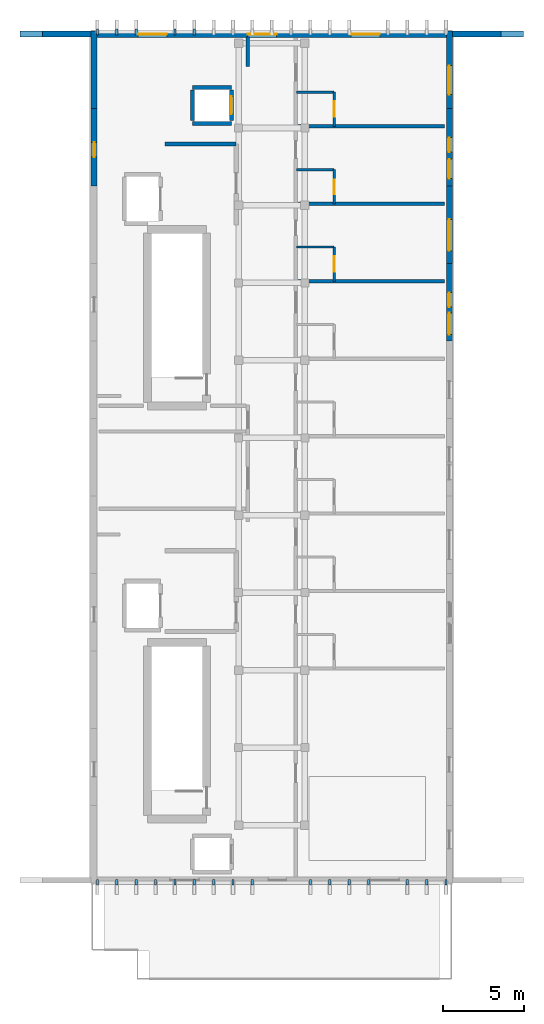
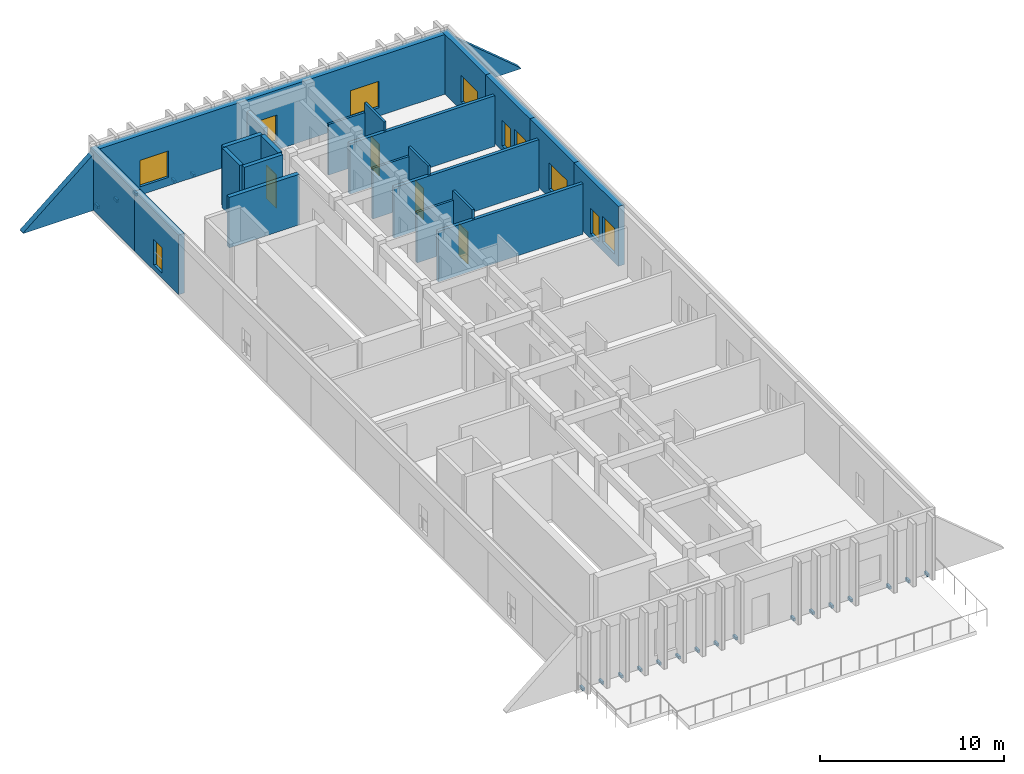
# One storey, part 4 of 7: 24 walls, 21 discrete accessories, 10 windows, 4 doors, 14 openings.
"""IFC4 building model written with IfcOpenShell, lengths in metres."""

import ifcopenshell
import ifcopenshell.guid

model = None  # the IFC model being written
_history = None  # IfcOwnerHistory: only IFC2X3 demands one
_inside = {}  # id of a spatial element -> (the spatial element, [elements in it])
_under = {}  # id of a project, library or spatial element -> (it, [spatial elements below it])
_declared = {}  # id of a project -> (the project, [libraries it declares])
_typed = {}  # id of a type object -> (the type object, [elements of that type])
_made_of = {}  # id of a material, layer set ... -> (it, [elements and type objects made of it])


def new_model(schema):
    """Start an empty IFC model of exactly this schema.

    Asked for "IFC4X3", IfcOpenShell would pick the latest addendum, in which some entities
    have other attributes; the version numbers below select the first issue.
    IFC2X3 requires an IfcOwnerHistory on every rooted entity: one is made here for all.
    """
    global model, _history
    if schema == "IFC4X3":
        model = ifcopenshell.file(schema_version=(4, 3, 0, 0))
    else:
        model = ifcopenshell.file(schema=schema)
    _inside.clear()
    _under.clear()
    _declared.clear()
    _typed.clear()
    _made_of.clear()
    _history = None
    if model.schema == "IFC2X3":
        org = make("IfcOrganization", Name="unknown")
        user = make(
            "IfcPersonAndOrganization",
            ThePerson=make("IfcPerson", FamilyName="unknown"),
            TheOrganization=org,
        )
        app = make(
            "IfcApplication",
            ApplicationDeveloper=org,
            Version="unknown",
            ApplicationFullName="unknown",
            ApplicationIdentifier="unknown",
        )
        _history = make(
            "IfcOwnerHistory",
            OwningUser=user,
            OwningApplication=app,
            ChangeAction="ADDED",
            CreationDate=0,
        )
    return model


def make(cls, **values):
    """One entity of the class cls with the attributes given. An attribute that is None is left unset."""
    return model.create_entity(
        cls, **{name: value for name, value in values.items() if value is not None}
    )


def rooted(cls, **values):
    """An entity with a GlobalId (a new one), such as an element, a storey or a relation."""
    return make(cls, GlobalId=ifcopenshell.guid.new(), OwnerHistory=_history, **values)


def si_unit(unit_type, name, prefix=None):
    """IfcSIUnit, for example si_unit("LENGTHUNIT", "METRE", prefix="MILLI")."""
    return make("IfcSIUnit", UnitType=unit_type, Prefix=prefix, Name=name)


def assignment(units):
    """IfcUnitAssignment: the units of a project."""
    return None if units is None else make("IfcUnitAssignment", Units=units)


def point(xyz):
    """IfcCartesianPoint."""
    return None if xyz is None else make("IfcCartesianPoint", Coordinates=xyz)


def direction(xyz):
    """IfcDirection."""
    return None if xyz is None else make("IfcDirection", DirectionRatios=xyz)


def frame(location, z_axis=None, x_axis=None):
    """IfcAxis2Placement3D, a coordinate frame: its origin and axes. An axis left out is left unset."""
    return make(
        "IfcAxis2Placement3D",
        Location=point(location),
        Axis=direction(z_axis),
        RefDirection=direction(x_axis),
    )


def frame_2d(location, x_axis=None):
    """IfcAxis2Placement2D, a coordinate frame in the plane: its origin and x axis."""
    return make(
        "IfcAxis2Placement2D", Location=point(location), RefDirection=direction(x_axis)
    )


def origin():
    """The frame at (0, 0, 0) with its axes left unset."""
    return frame((0.0, 0.0, 0.0))


def origin_2d():
    """The frame at (0, 0) in the plane with its x axis left unset."""
    return frame_2d((0.0, 0.0))


def place(relative_to, where):
    """IfcLocalPlacement: puts the frame where relative to a parent placement (None: the world)."""
    return make(
        "IfcLocalPlacement", PlacementRelTo=relative_to, RelativePlacement=where
    )


def context(
    kind, dimensions, precision=None, world=None, true_north=None, identifier=None
):
    """IfcGeometricRepresentationContext, for example the 3D "Model" context."""
    return make(
        "IfcGeometricRepresentationContext",
        ContextIdentifier=identifier,
        ContextType=kind,
        CoordinateSpaceDimension=dimensions,
        Precision=precision,
        WorldCoordinateSystem=world,
        TrueNorth=true_north,
    )


def subcontext(parent, identifier, kind, view, scale=None):
    """IfcGeometricRepresentationSubContext, for example "Body" below "Model"."""
    return make(
        "IfcGeometricRepresentationSubContext",
        ContextIdentifier=identifier,
        ContextType=kind,
        ParentContext=parent,
        TargetScale=scale,
        TargetView=view,
    )


def project(units=None, contexts=None):
    """IfcProject with its units and contexts."""
    return rooted(
        "IfcProject",
        Name="project",
        RepresentationContexts=contexts,
        UnitsInContext=assignment(units),
    )


def spatial(cls, under=None, at=None, **own):
    """A site, building, storey or space (cls), placed at a placement, below another one or the project."""
    s = rooted(cls, ObjectPlacement=at, **own)
    if under is not None:
        _under.setdefault(under.id(), (under, []))[1].append(s)
    return s


def polyline(points):
    """IfcPolyline through the points."""
    return make("IfcPolyline", Points=[point(p) for p in points])


def profile(cls, at=None, kind="AREA", **sizes):
    """A parametric profile (cls). Its sizes go by their IFC names, for example OverallWidth=200.0."""
    return make(cls, ProfileType=kind, Position=at, **sizes)


def rectangle(**sizes):
    """IfcRectangleProfileDef."""
    return profile("IfcRectangleProfileDef", **sizes)


def outline(outer, holes=None, kind="AREA"):
    """IfcArbitraryClosedProfileDef: a profile drawn as a closed curve; with holes, ...WithVoids."""
    if holes is None:
        return make("IfcArbitraryClosedProfileDef", ProfileType=kind, OuterCurve=outer)
    return make(
        "IfcArbitraryProfileDefWithVoids",
        ProfileType=kind,
        OuterCurve=outer,
        InnerCurves=holes,
    )


def extrude(swept, where, along, depth):
    """IfcExtrudedAreaSolid: the profile swept, set in the frame where, extruded along a direction by depth."""
    return make(
        "IfcExtrudedAreaSolid",
        SweptArea=swept,
        Position=where,
        ExtrudedDirection=direction(along),
        Depth=depth,
    )


def shape(context_of_items, identifier, shape_type, items):
    """IfcShapeRepresentation: the items that make up one representation, for example the "Body"."""
    return make(
        "IfcShapeRepresentation",
        ContextOfItems=context_of_items,
        RepresentationIdentifier=identifier,
        RepresentationType=shape_type,
        Items=items,
    )


def material(Name=None, Category=None):
    """IfcMaterial."""
    return make("IfcMaterial", Name=Name, Category=Category)


def layer(
    of_material, thickness, ventilated=None, Name=None, Category=None, Priority=None
):
    """IfcMaterialLayer: one layer of a wall or slab, of a material (None: an air gap)."""
    return make(
        "IfcMaterialLayer",
        Material=of_material,
        LayerThickness=thickness,
        IsVentilated=ventilated,
        Name=Name,
        Category=Category,
        Priority=Priority,
    )


def layer_set(layers, Name=None):
    """IfcMaterialLayerSet."""
    return make("IfcMaterialLayerSet", MaterialLayers=layers, LayerSetName=Name)


def made_of(thing, what):
    """Note that an element or type object is made of a material, layer set ...; save() writes the relation."""
    if what is not None:
        _made_of.setdefault(what.id(), (what, []))[1].append(thing)
    return thing


def type_object(cls, material=None, **own):
    """A type object (cls), such as IfcWallType, which elements share."""
    return made_of(rooted(cls, **own), material)


def element(
    cls,
    number,
    at=None,
    inside=None,
    cuts=None,
    type_object=None,
    material=None,
    context=None,
    identifier="Body",
    shape_type=None,
    held_by="IfcProductDefinitionShape",
    body=None,
    shapes=None,
    **own,
):
    """One element of the class cls, such as IfcWall. Its Tag is "e" and its number.

    at: its placement. inside: the storey or other place that contains it. cuts: it is an
    opening in that element (IfcRelVoidsElement). A single representation is given by context,
    identifier, shape_type and body (its items); several are given by shapes. held_by: the class
    of the entity that holds the representations. save() writes the other relations.
    """
    e = rooted(cls, Tag="e%d" % number, ObjectPlacement=at, **own)
    if body is not None:
        shapes = [shape(context, identifier, shape_type, body)]
    if shapes is not None:
        e.Representation = make(held_by, Representations=shapes)
    if inside is not None:
        _inside.setdefault(inside.id(), (inside, []))[1].append(e)
    if cuts is not None:
        rooted(
            "IfcRelVoidsElement", RelatingBuildingElement=cuts, RelatedOpeningElement=e
        )
    if type_object is not None:
        _typed.setdefault(type_object.id(), (type_object, []))[1].append(e)
    return made_of(e, material)


def fill(opening, filler):
    """IfcRelFillsElement: the door or window that sits in an opening."""
    return rooted(
        "IfcRelFillsElement",
        RelatingOpeningElement=opening,
        RelatedBuildingElement=filler,
    )


def aggregate(whole, parts):
    """IfcRelAggregates: a whole, such as a stair, and the parts it consists of."""
    return rooted("IfcRelAggregates", RelatingObject=whole, RelatedObjects=parts)


def save(model, path):
    """Write the relations noted so far, then the file.

    IfcRelAggregates (storeys below a building ...), IfcRelContainedInSpatialStructure (elements
    in a storey), IfcRelDefinesByType, IfcRelAssociatesMaterial and IfcRelDeclares: one each for
    every whole, place, type object, material and project.
    """
    for whole, parts in _under.values():
        aggregate(whole, parts)
    for where, things in _inside.values():
        rooted(
            "IfcRelContainedInSpatialStructure",
            RelatedElements=things,
            RelatingStructure=where,
        )
    for kind, things in _typed.values():
        rooted("IfcRelDefinesByType", RelatedObjects=things, RelatingType=kind)
    for what, things in _made_of.values():
        rooted("IfcRelAssociatesMaterial", RelatedObjects=things, RelatingMaterial=what)
    for by, libraries in _declared.values():
        rooted("IfcRelDeclares", RelatingContext=by, RelatedDefinitions=libraries)
    model.write(path)


model = new_model("IFC4")

# Units and contexts
model_context = context("Model", 3, precision=1e-05, world=origin(), true_north=direction((0.0, 1.0)))
body_context = subcontext(model_context, "Body", "Model", "MODEL_VIEW")
ifc_project = project(units=[si_unit("LENGTHUNIT", "METRE"), si_unit("AREAUNIT", "SQUARE_METRE"), si_unit("VOLUMEUNIT", "CUBIC_METRE"), si_unit("PLANEANGLEUNIT", "RADIAN"), si_unit("MASSUNIT", "GRAM", prefix="KILO")], contexts=[model_context])

# Site, building, storey
site_placement = place(None, origin())
site = spatial("IfcSite", under=ifc_project, at=site_placement, CompositionType="ELEMENT")
building_placement = place(site_placement, origin())
building = spatial("IfcBuilding", under=site, at=building_placement, Name="Nakhvara Creek Congress Hotel", CompositionType="ELEMENT")
storey_placement = place(building_placement, frame((0.0, 0.0, 50.39990234375)))
storey = spatial("IfcBuildingStorey", under=building, at=storey_placement, Name="L12", CompositionType="ELEMENT", Elevation=50.39990234375)

# Wall
ifc_material_1 = material(Name="Gypsum acoustic board on steel stud", Category="steel")
ifc_layer_1 = layer(ifc_material_1, 0.219970703125)
ifc_layer_set_1 = layer_set([ifc_layer_1], Name="Gypsum acoustic board on steel stud")
wall_type_1 = type_object("IfcWallType", Name="W-CORR-220", PredefinedType="PARTITIONING", material=ifc_layer_set_1)
wall_1_placement = place(storey_placement, frame((162.919921875, 123.800048828125, 0.0), z_axis=(0.0, 0.0, 1.0), x_axis=(0.0, 1.0, 0.0)))
element("IfcWall", 1, at=wall_1_placement, inside=storey, type_object=wall_type_1, Name="Interior Wall WP11-IW-L12-0794", PredefinedType="PARTITIONING", context=body_context, shape_type="SweptSolid", body=[
    extrude(rectangle(XDim=1.849853515625, YDim=0.219970703125, at=frame_2d((0.9248046875, 0.0))), origin(), (0.0, 0.0, 1.0), 3.2021484375),
])

# Wall, opening, door
ifc_material_2 = material(Name="Moisture-resistant gypsum board partition")
ifc_layer_2 = layer(ifc_material_2, 0.139892578125)
ifc_layer_set_2 = layer_set([ifc_layer_2], Name="Moisture-resistant gypsum board partition")
wall_type_2 = type_object("IfcWallType", Name="W-ENS-140", PredefinedType="PARTITIONING", material=ifc_layer_set_2)
wall_2_placement = place(storey_placement, frame((168.27001953125, 110.5, 0.0), z_axis=(0.0, 0.0, 1.0), x_axis=(0.0, 1.0, 0.0)))
wall_2 = element("IfcWall", 2, at=wall_2_placement, inside=storey, type_object=wall_type_2, Name="Interior Wall WP15-IW-L12-0818", PredefinedType="PARTITIONING", context=body_context, shape_type="SweptSolid", body=[
    extrude(rectangle(XDim=2.115966796875, YDim=0.139892578125, at=frame_2d((1.05810546875, 0.0))), origin(), (0.0, 0.0, 1.0), 3.960205078125),
])
opening_1_placement = place(wall_2_placement, frame((0.5830078125, 0.0, 0.0)))
opening_1 = element("IfcOpeningElement", 3, at=opening_1_placement, cuts=wall_2, Name="Opening ID02", PredefinedType="OPENING", context=body_context, shape_type="SweptSolid", body=[
    extrude(rectangle(XDim=0.9599609375, YDim=2.1201171875, at=frame_2d((0.47998046875, 1.06005859375))), frame((0.0, 0.08203125, 0.0), z_axis=(0.0, -1.0, 0.0), x_axis=(1.0, 0.0, 0.0)), (0.0, 0.0, 1.0), 0.163818359375),
])
ifc_material_3 = material(Name="Moisture-resistant walnut timber door", Category="wood")
door_type_1 = type_object("IfcDoorType", Name="DT-ENS-096", OperationType="NOTDEFINED", PredefinedType="DOOR", material=ifc_material_3)
door_1_placement = place(opening_1_placement, frame((0.9599609375, 0.0, 0.0), z_axis=(0.0, 0.0, 1.0), x_axis=(-1.0, 0.0, 0.0)))
door_1 = element("IfcDoor", 4, at=door_1_placement, inside=storey, type_object=door_type_1, Name="Interior Door ID02-0580", OperationType="SINGLE_SWING_LEFT", OverallHeight=2.1201171875, OverallWidth=0.9599609375, PredefinedType="DOOR", context=body_context, shape_type="SweptSolid", body=[
    extrude(rectangle(XDim=0.9599609375, YDim=2.1201171875, at=frame_2d((0.47998046875, 1.06005859375))), frame((0.0, 0.02490234375, 0.0), z_axis=(0.0, -1.0, 0.0), x_axis=(1.0, 0.0, 0.0)), (0.0, 0.0, 1.0), 0.050048828125),
])
fill(opening_1, door_1)

# Wall
wall_3_placement = place(storey_placement, frame((165.919921875, 112.615966796875, 0.0), z_axis=(0.0, 0.0, 1.0), x_axis=(1.0, 0.0, 0.0)))
element("IfcWall", 5, at=wall_3_placement, inside=storey, type_object=wall_type_2, Name="Interior Wall WP15-IW-L12-0819", PredefinedType="PARTITIONING", context=body_context, shape_type="SweptSolid", body=[
    extrude(rectangle(XDim=2.35009765625, YDim=0.139892578125, at=frame_2d((1.175048828125, 0.0))), origin(), (0.0, 0.0, 1.0), 3.35205078125),
])

# Wall, opening, door
wall_4_placement = place(storey_placement, frame((168.27001953125, 115.300048828125, 0.0), z_axis=(0.0, 0.0, 1.0), x_axis=(0.0, 1.0, 0.0)))
wall_4 = element("IfcWall", 6, at=wall_4_placement, inside=storey, type_object=wall_type_2, Name="Interior Wall WP15-IW-L12-0821", PredefinedType="PARTITIONING", context=body_context, shape_type="SweptSolid", body=[
    extrude(rectangle(XDim=2.115966796875, YDim=0.139892578125, at=frame_2d((1.05810546875, 0.0))), origin(), (0.0, 0.0, 1.0), 3.960205078125),
])
opening_2_placement = place(wall_4_placement, frame((0.5830078125, 0.0, 0.0)))
opening_2 = element("IfcOpeningElement", 7, at=opening_2_placement, cuts=wall_4, Name="Opening ID01", PredefinedType="OPENING", context=body_context, shape_type="SweptSolid", body=[
    extrude(rectangle(XDim=0.919921875, YDim=2.10009765625, at=frame_2d((0.4599609375, 1.050048828125))), frame((0.0, 0.08203125, 0.0), z_axis=(0.0, -1.0, 0.0), x_axis=(1.0, 0.0, 0.0)), (0.0, 0.0, 1.0), 0.163818359375),
])
door_type_2 = type_object("IfcDoorType", Name="DT-ENS-092", OperationType="NOTDEFINED", PredefinedType="DOOR", material=ifc_material_3)
door_2_placement = place(opening_2_placement, frame((0.919921875, 0.0, 0.0), z_axis=(0.0, 0.0, 1.0), x_axis=(-1.0, 0.0, 0.0)))
door_2 = element("IfcDoor", 8, at=door_2_placement, inside=storey, type_object=door_type_2, Name="Interior Door ID01-0582", OperationType="SINGLE_SWING_LEFT", OverallHeight=2.10009765625, OverallWidth=0.919921875, PredefinedType="DOOR", context=body_context, shape_type="SweptSolid", body=[
    extrude(rectangle(XDim=0.919921875, YDim=2.10009765625, at=frame_2d((0.4599609375, 1.050048828125))), frame((0.0, 0.02490234375, 0.0), z_axis=(0.0, -1.0, 0.0), x_axis=(1.0, 0.0, 0.0)), (0.0, 0.0, 1.0), 0.050048828125),
])
fill(opening_2, door_2)

# Wall
wall_5_placement = place(storey_placement, frame((165.919921875, 117.416015625, 0.0), z_axis=(0.0, 0.0, 1.0), x_axis=(1.0, 0.0, 0.0)))
element("IfcWall", 9, at=wall_5_placement, inside=storey, type_object=wall_type_2, Name="Interior Wall WP15-IW-L12-0822", PredefinedType="PARTITIONING", context=body_context, shape_type="SweptSolid", body=[
    extrude(rectangle(XDim=2.35009765625, YDim=0.139892578125, at=frame_2d((1.175048828125, 0.0))), origin(), (0.0, 0.0, 1.0), 3.35205078125),
])

# Wall, opening, door
wall_6_placement = place(storey_placement, frame((168.27001953125, 120.10009765625, 0.0), z_axis=(0.0, 0.0, 1.0), x_axis=(0.0, 1.0, 0.0)))
wall_6 = element("IfcWall", 10, at=wall_6_placement, inside=storey, type_object=wall_type_2, Name="Interior Wall WP15-IW-L12-0824", PredefinedType="PARTITIONING", context=body_context, shape_type="SweptSolid", body=[
    extrude(rectangle(XDim=2.115966796875, YDim=0.139892578125, at=frame_2d((1.05810546875, 0.0))), origin(), (0.0, 0.0, 1.0), 3.960205078125),
])
opening_3_placement = place(wall_6_placement, frame((0.5830078125, 0.0, 0.0)))
opening_3 = element("IfcOpeningElement", 11, at=opening_3_placement, cuts=wall_6, Name="Opening ID02", PredefinedType="OPENING", context=body_context, shape_type="SweptSolid", body=[
    extrude(rectangle(XDim=0.9599609375, YDim=2.1201171875, at=frame_2d((0.47998046875, 1.06005859375))), frame((0.0, 0.08203125, 0.0), z_axis=(0.0, -1.0, 0.0), x_axis=(1.0, 0.0, 0.0)), (0.0, 0.0, 1.0), 0.163818359375),
])
door_3_placement = place(opening_3_placement, frame((0.9599609375, 0.0, 0.0), z_axis=(0.0, 0.0, 1.0), x_axis=(-1.0, 0.0, 0.0)))
door_3 = element("IfcDoor", 12, at=door_3_placement, inside=storey, type_object=door_type_1, Name="Interior Door ID02-0584", OperationType="SINGLE_SWING_LEFT", OverallHeight=2.1201171875, OverallWidth=0.9599609375, PredefinedType="DOOR", context=body_context, shape_type="SweptSolid", body=[
    extrude(rectangle(XDim=0.9599609375, YDim=2.1201171875, at=frame_2d((0.47998046875, 1.06005859375))), frame((0.0, 0.02490234375, 0.0), z_axis=(0.0, -1.0, 0.0), x_axis=(1.0, 0.0, 0.0)), (0.0, 0.0, 1.0), 0.050048828125),
])
fill(opening_3, door_3)

# Wall
wall_7_placement = place(storey_placement, frame((165.919921875, 122.216064453125, 0.0), z_axis=(0.0, 0.0, 1.0), x_axis=(1.0, 0.0, 0.0)))
element("IfcWall", 13, at=wall_7_placement, inside=storey, type_object=wall_type_2, Name="Interior Wall WP15-IW-L12-0825", PredefinedType="PARTITIONING", context=body_context, shape_type="SweptSolid", body=[
    extrude(rectangle(XDim=2.35009765625, YDim=0.139892578125, at=frame_2d((1.175048828125, 0.0))), origin(), (0.0, 0.0, 1.0), 3.35205078125),
])

# Wall, openings, windows
ifc_material_4 = material(Name="Honed pale Omani limestone cladding", Category="masonry")
ifc_layer_3 = layer(ifc_material_4, 0.050048828125)
ifc_material_5 = material(Name="Mineral wool thermal insulation")
ifc_layer_4 = layer(ifc_material_5, 0.110107421875)
ifc_material_6 = material(Name="Precast concrete C40/50", Category="concrete")
ifc_layer_5 = layer(ifc_material_6, 0.219970703125)
ifc_layer_set_3 = layer_set([ifc_layer_3, ifc_layer_4, ifc_layer_5], Name="Precast concrete C40/50")
wall_type_3 = type_object("IfcWallType", Name="W-EXT-380", PredefinedType="SOLIDWALL", material=ifc_layer_set_3)
wall_8_placement = place(storey_placement, frame((153.300048828125, 125.81005859375, 0.0), z_axis=(0.0, 0.0, 1.0), x_axis=(1.0, 0.0, 0.0)))
wall_8 = element("IfcWall", 14, at=wall_8_placement, inside=storey, type_object=wall_type_3, Name="Exterior Wall WE03-EW-L12-0231", PredefinedType="SOLIDWALL", context=body_context, shape_type="SweptSolid", body=[
    extrude(rectangle(XDim=22.199951171875, YDim=0.3798828125, at=frame_2d((11.10009765625, 0.0))), origin(), (0.0, 0.0, 1.0), 3.960205078125),
])
opening_4_placement = place(wall_8_placement, frame((2.800048828125, 0.0, 0.550048828125)))
opening_4 = element("IfcOpeningElement", 15, at=opening_4_placement, cuts=wall_8, Name="Opening WN0253", PredefinedType="OPENING", context=body_context, shape_type="SweptSolid", body=[
    extrude(rectangle(XDim=1.800048828125, YDim=1.760009765625, at=frame_2d((0.89990234375, 0.8798828125))), frame((0.0, 0.201904296875, 0.0), z_axis=(0.0, -1.0, 0.0), x_axis=(1.0, 0.0, 0.0)), (0.0, 0.0, 1.0), 0.40380859375),
])
opening_5_placement = place(wall_8_placement, frame((9.60009765625, 0.0, 0.550048828125)))
opening_5 = element("IfcOpeningElement", 16, at=opening_5_placement, cuts=wall_8, Name="Opening WN0254", PredefinedType="OPENING", context=body_context, shape_type="SweptSolid", body=[
    extrude(rectangle(XDim=1.800048828125, YDim=1.760009765625, at=frame_2d((0.89990234375, 0.8798828125))), frame((0.0, 0.201904296875, 0.0), z_axis=(0.0, -1.0, 0.0), x_axis=(1.0, 0.0, 0.0)), (0.0, 0.0, 1.0), 0.40380859375),
])
opening_6_placement = place(wall_8_placement, frame((16.0, 0.0, 0.550048828125)))
opening_6 = element("IfcOpeningElement", 17, at=opening_6_placement, cuts=wall_8, Name="Opening WN0255", PredefinedType="OPENING", context=body_context, shape_type="SweptSolid", body=[
    extrude(rectangle(XDim=1.800048828125, YDim=1.760009765625, at=frame_2d((0.89990234375, 0.8798828125))), frame((0.0, 0.201904296875, 0.0), z_axis=(0.0, -1.0, 0.0), x_axis=(1.0, 0.0, 0.0)), (0.0, 0.0, 1.0), 0.40380859375),
])
ifc_material_7 = material(Name="Thermally broken bronze-anodised aluminium and double-silver low-E insulated glass", Category="aluminium")
window_type_1 = type_object("IfcWindowType", Name="WN-LAN-180X225", PartitioningType="SINGLE_PANEL", PredefinedType="WINDOW", material=ifc_material_7)
window_1_placement = place(opening_4_placement, origin())
window_1 = element("IfcWindow", 18, at=window_1_placement, inside=storey, type_object=window_type_1, Name="Facade Window WN0253", OverallHeight=1.760009765625, OverallWidth=1.800048828125, PartitioningType="SINGLE_PANEL", PredefinedType="WINDOW", context=body_context, shape_type="SweptSolid", body=[
    extrude(rectangle(XDim=1.800048828125, YDim=1.760009765625, at=frame_2d((0.89990234375, 0.8798828125))), frame((0.0, 0.030029296875, 0.0), z_axis=(0.0, -1.0, 0.0), x_axis=(1.0, 0.0, 0.0)), (0.0, 0.0, 1.0), 0.06005859375),
])
fill(opening_4, window_1)
window_2_placement = place(opening_5_placement, origin())
window_2 = element("IfcWindow", 19, at=window_2_placement, inside=storey, type_object=window_type_1, Name="Facade Window WN0254", OverallHeight=1.760009765625, OverallWidth=1.800048828125, PartitioningType="SINGLE_PANEL", PredefinedType="WINDOW", context=body_context, shape_type="SweptSolid", body=[
    extrude(rectangle(XDim=1.800048828125, YDim=1.760009765625, at=frame_2d((0.89990234375, 0.8798828125))), frame((0.0, 0.030029296875, 0.0), z_axis=(0.0, -1.0, 0.0), x_axis=(1.0, 0.0, 0.0)), (0.0, 0.0, 1.0), 0.06005859375),
])
fill(opening_5, window_2)
window_3_placement = place(opening_6_placement, origin())
window_3 = element("IfcWindow", 20, at=window_3_placement, inside=storey, type_object=window_type_1, Name="Facade Window WN0255", OverallHeight=1.760009765625, OverallWidth=1.800048828125, PartitioningType="SINGLE_PANEL", PredefinedType="WINDOW", context=body_context, shape_type="SweptSolid", body=[
    extrude(rectangle(XDim=1.800048828125, YDim=1.760009765625, at=frame_2d((0.89990234375, 0.8798828125))), frame((0.0, 0.030029296875, 0.0), z_axis=(0.0, -1.0, 0.0), x_axis=(1.0, 0.0, 0.0)), (0.0, 0.0, 1.0), 0.06005859375),
])
fill(opening_6, window_3)

wall_9_placement = place(storey_placement, frame((175.409912109375, 111.60009765625, 0.0), z_axis=(0.0, 0.0, 1.0), x_axis=(0.0, -1.0, 0.0)))
wall_9 = element("IfcWall", 21, at=wall_9_placement, inside=storey, type_object=wall_type_3, Name="Exterior Wall WE03-EW-L12-0247", PredefinedType="SOLIDWALL", context=body_context, shape_type="SweptSolid", body=[
    extrude(rectangle(XDim=4.800048828125, YDim=0.3798828125, at=frame_2d((2.39990234375, 0.0))), origin(), (0.0, 0.0, 1.0), 3.960205078125),
])
opening_7_placement = place(wall_9_placement, frame((1.800048828125, 0.0, 0.35009765625)))
opening_7 = element("IfcOpeningElement", 22, at=opening_7_placement, cuts=wall_9, Name="Opening WN0263", PredefinedType="OPENING", context=body_context, shape_type="SweptSolid", body=[
    extrude(rectangle(XDim=0.89990234375, YDim=1.679931640625, at=frame_2d((0.449951171875, 0.83984375))), frame((0.0, 0.201904296875, 0.0), z_axis=(0.0, -1.0, 0.0), x_axis=(1.0, 0.0, 0.0)), (0.0, 0.0, 1.0), 0.40380859375),
])
opening_8_placement = place(wall_9_placement, frame((3.06005859375, 0.0, 0.550048828125)))
opening_8 = element("IfcOpeningElement", 23, at=opening_8_placement, cuts=wall_9, Name="Opening WN0272", PredefinedType="OPENING", context=body_context, shape_type="SweptSolid", body=[
    extrude(rectangle(XDim=1.35009765625, YDim=1.72998046875, at=frame_2d((0.675048828125, 0.864990234375))), frame((0.0, 0.201904296875, 0.0), z_axis=(0.0, -1.0, 0.0), x_axis=(1.0, 0.0, 0.0)), (0.0, 0.0, 1.0), 0.40380859375),
])
window_type_2 = type_object("IfcWindowType", Name="WN-LAN-090X210", PartitioningType="SINGLE_PANEL", PredefinedType="WINDOW", material=ifc_material_7)
window_4_placement = place(opening_7_placement, origin())
window_4 = element("IfcWindow", 24, at=window_4_placement, inside=storey, type_object=window_type_2, Name="Facade Window WN0263", OverallHeight=1.679931640625, OverallWidth=0.89990234375, PartitioningType="SINGLE_PANEL", PredefinedType="WINDOW", context=body_context, shape_type="SweptSolid", body=[
    extrude(rectangle(XDim=0.89990234375, YDim=1.679931640625, at=frame_2d((0.449951171875, 0.83984375))), frame((0.0, 0.030029296875, 0.0), z_axis=(0.0, -1.0, 0.0), x_axis=(1.0, 0.0, 0.0)), (0.0, 0.0, 1.0), 0.06005859375),
])
fill(opening_7, window_4)
window_type_3 = type_object("IfcWindowType", Name="WN-LAN-135X220", PartitioningType="SINGLE_PANEL", PredefinedType="WINDOW", material=ifc_material_7)
window_5_placement = place(opening_8_placement, origin())
window_5 = element("IfcWindow", 25, at=window_5_placement, inside=storey, type_object=window_type_3, Name="Facade Window WN0272", OverallHeight=1.72998046875, OverallWidth=1.35009765625, PartitioningType="SINGLE_PANEL", PredefinedType="WINDOW", context=body_context, shape_type="SweptSolid", body=[
    extrude(rectangle(XDim=1.35009765625, YDim=1.72998046875, at=frame_2d((0.675048828125, 0.864990234375))), frame((0.0, 0.030029296875, 0.0), z_axis=(0.0, -1.0, 0.0), x_axis=(1.0, 0.0, 0.0)), (0.0, 0.0, 1.0), 0.06005859375),
])
fill(opening_8, window_5)

# Wall, opening, window
wall_10_placement = place(storey_placement, frame((175.409912109375, 116.39990234375, 0.0), z_axis=(0.0, 0.0, 1.0), x_axis=(0.0, -1.0, 0.0)))
wall_10 = element("IfcWall", 26, at=wall_10_placement, inside=storey, type_object=wall_type_3, Name="Exterior Wall WE03-EW-L12-0249", PredefinedType="SOLIDWALL", context=body_context, shape_type="SweptSolid", body=[
    extrude(rectangle(XDim=4.7998046875, YDim=0.3798828125, at=frame_2d((2.39990234375, 0.0))), origin(), (0.0, 0.0, 1.0), 3.960205078125),
])
opening_9_placement = place(wall_10_placement, frame((2.06005859375, 0.0, 0.550048828125)))
opening_9 = element("IfcOpeningElement", 27, at=opening_9_placement, cuts=wall_10, Name="Opening WN0273", PredefinedType="OPENING", context=body_context, shape_type="SweptSolid", body=[
    extrude(rectangle(XDim=1.949951171875, YDim=1.77001953125, at=frame_2d((0.97509765625, 0.885009765625))), frame((0.0, 0.201904296875, 0.0), z_axis=(0.0, -1.0, 0.0), x_axis=(1.0, 0.0, 0.0)), (0.0, 0.0, 1.0), 0.40380859375),
])
window_type_4 = type_object("IfcWindowType", Name="WN-LAN-195X230", PartitioningType="SINGLE_PANEL", PredefinedType="WINDOW", material=ifc_material_7)
window_6_placement = place(opening_9_placement, origin())
window_6 = element("IfcWindow", 28, at=window_6_placement, inside=storey, type_object=window_type_4, Name="Facade Window WN0273", OverallHeight=1.77001953125, OverallWidth=1.949951171875, PartitioningType="SINGLE_PANEL", PredefinedType="WINDOW", context=body_context, shape_type="SweptSolid", body=[
    extrude(rectangle(XDim=1.949951171875, YDim=1.77001953125, at=frame_2d((0.97509765625, 0.885009765625))), frame((0.0, 0.030029296875, 0.0), z_axis=(0.0, -1.0, 0.0), x_axis=(1.0, 0.0, 0.0)), (0.0, 0.0, 1.0), 0.06005859375),
])
fill(opening_9, window_6)

# Wall, openings, windows
wall_11_placement = place(storey_placement, frame((175.409912109375, 121.199951171875, 0.0), z_axis=(0.0, 0.0, 1.0), x_axis=(0.0, -1.0, 0.0)))
wall_11 = element("IfcWall", 29, at=wall_11_placement, inside=storey, type_object=wall_type_3, Name="Exterior Wall WE03-EW-L12-0251", PredefinedType="SOLIDWALL", context=body_context, shape_type="SweptSolid", body=[
    extrude(rectangle(XDim=4.800048828125, YDim=0.3798828125, at=frame_2d((2.39990234375, 0.0))), origin(), (0.0, 0.0, 1.0), 3.960205078125),
])
opening_10_placement = place(wall_11_placement, frame((1.800048828125, 0.0, 0.35009765625)))
opening_10 = element("IfcOpeningElement", 30, at=opening_10_placement, cuts=wall_11, Name="Opening WN0265", PredefinedType="OPENING", context=body_context, shape_type="SweptSolid", body=[
    extrude(rectangle(XDim=0.89990234375, YDim=1.679931640625, at=frame_2d((0.449951171875, 0.83984375))), frame((0.0, 0.201904296875, 0.0), z_axis=(0.0, -1.0, 0.0), x_axis=(1.0, 0.0, 0.0)), (0.0, 0.0, 1.0), 0.40380859375),
])
opening_11_placement = place(wall_11_placement, frame((3.135009765625, 0.0, 0.550048828125)))
opening_11 = element("IfcOpeningElement", 31, at=opening_11_placement, cuts=wall_11, Name="Opening WN0274", PredefinedType="OPENING", context=body_context, shape_type="SweptSolid", body=[
    extrude(rectangle(XDim=1.199951171875, YDim=1.719970703125, at=frame_2d((0.60009765625, 0.85986328125))), frame((0.0, 0.201904296875, 0.0), z_axis=(0.0, -1.0, 0.0), x_axis=(1.0, 0.0, 0.0)), (0.0, 0.0, 1.0), 0.40380859375),
])
window_7_placement = place(opening_10_placement, origin())
window_7 = element("IfcWindow", 32, at=window_7_placement, inside=storey, type_object=window_type_2, Name="Facade Window WN0265", OverallHeight=1.679931640625, OverallWidth=0.89990234375, PartitioningType="SINGLE_PANEL", PredefinedType="WINDOW", context=body_context, shape_type="SweptSolid", body=[
    extrude(rectangle(XDim=0.89990234375, YDim=1.679931640625, at=frame_2d((0.449951171875, 0.83984375))), frame((0.0, 0.030029296875, 0.0), z_axis=(0.0, -1.0, 0.0), x_axis=(1.0, 0.0, 0.0)), (0.0, 0.0, 1.0), 0.06005859375),
])
fill(opening_10, window_7)
window_type_5 = type_object("IfcWindowType", Name="WN-LAN-120X220", PartitioningType="SINGLE_PANEL", PredefinedType="WINDOW", material=ifc_material_7)
window_8_placement = place(opening_11_placement, origin())
window_8 = element("IfcWindow", 33, at=window_8_placement, inside=storey, type_object=window_type_5, Name="Facade Window WN0274", OverallHeight=1.719970703125, OverallWidth=1.199951171875, PartitioningType="SINGLE_PANEL", PredefinedType="WINDOW", context=body_context, shape_type="SweptSolid", body=[
    extrude(rectangle(XDim=1.199951171875, YDim=1.719970703125, at=frame_2d((0.60009765625, 0.85986328125))), frame((0.0, 0.030029296875, 0.0), z_axis=(0.0, -1.0, 0.0), x_axis=(1.0, 0.0, 0.0)), (0.0, 0.0, 1.0), 0.06005859375),
])
fill(opening_11, window_8)

# Wall, opening, window
wall_12_placement = place(storey_placement, frame((153.389892578125, 116.39990234375, 0.0), z_axis=(0.0, 0.0, 1.0), x_axis=(0.0, 1.0, 0.0)))
wall_12 = element("IfcWall", 34, at=wall_12_placement, inside=storey, type_object=wall_type_3, Name="Exterior Wall WE03-EW-L12-0252", PredefinedType="SOLIDWALL", context=body_context, shape_type="SweptSolid", body=[
    extrude(rectangle(XDim=4.800048828125, YDim=0.3798828125, at=frame_2d((2.39990234375, 0.0))), origin(), (0.0, 0.0, 1.0), 3.960205078125),
])
opening_12_placement = place(wall_12_placement, frame((1.800048828125, 0.0, 0.35009765625)))
opening_12 = element("IfcOpeningElement", 35, at=opening_12_placement, cuts=wall_12, Name="Opening WN0266", PredefinedType="OPENING", context=body_context, shape_type="SweptSolid", body=[
    extrude(rectangle(XDim=0.89990234375, YDim=1.679931640625, at=frame_2d((0.449951171875, 0.83984375))), frame((0.0, 0.201904296875, 0.0), z_axis=(0.0, -1.0, 0.0), x_axis=(1.0, 0.0, 0.0)), (0.0, 0.0, 1.0), 0.40380859375),
])
window_9_placement = place(opening_12_placement, origin())
window_9 = element("IfcWindow", 36, at=window_9_placement, inside=storey, type_object=window_type_2, Name="Facade Window WN0266", OverallHeight=1.679931640625, OverallWidth=0.89990234375, PartitioningType="SINGLE_PANEL", PredefinedType="WINDOW", context=body_context, shape_type="SweptSolid", body=[
    extrude(rectangle(XDim=0.89990234375, YDim=1.679931640625, at=frame_2d((0.449951171875, 0.83984375))), frame((0.0, 0.030029296875, 0.0), z_axis=(0.0, -1.0, 0.0), x_axis=(1.0, 0.0, 0.0)), (0.0, 0.0, 1.0), 0.06005859375),
])
fill(opening_12, window_9)

wall_13_placement = place(storey_placement, frame((175.409912109375, 126.0, 0.0), z_axis=(0.0, 0.0, 1.0), x_axis=(0.0, -1.0, 0.0)))
wall_13 = element("IfcWall", 37, at=wall_13_placement, inside=storey, type_object=wall_type_3, Name="Exterior Wall WE03-EW-L12-0253", PredefinedType="SOLIDWALL", context=body_context, shape_type="SweptSolid", body=[
    extrude(rectangle(XDim=4.800048828125, YDim=0.3798828125, at=frame_2d((2.39990234375, 0.0))), origin(), (0.0, 0.0, 1.0), 3.960205078125),
])
opening_13_placement = place(wall_13_placement, frame((2.135009765625, 0.0, 0.550048828125)))
opening_13 = element("IfcOpeningElement", 38, at=opening_13_placement, cuts=wall_13, Name="Opening WN0275", PredefinedType="OPENING", context=body_context, shape_type="SweptSolid", body=[
    extrude(rectangle(XDim=1.800048828125, YDim=1.760009765625, at=frame_2d((0.89990234375, 0.8798828125))), frame((0.0, 0.201904296875, 0.0), z_axis=(0.0, -1.0, 0.0), x_axis=(1.0, 0.0, 0.0)), (0.0, 0.0, 1.0), 0.40380859375),
])
window_10_placement = place(opening_13_placement, origin())
window_10 = element("IfcWindow", 39, at=window_10_placement, inside=storey, type_object=window_type_1, Name="Facade Window WN0275", OverallHeight=1.760009765625, OverallWidth=1.800048828125, PartitioningType="SINGLE_PANEL", PredefinedType="WINDOW", context=body_context, shape_type="SweptSolid", body=[
    extrude(rectangle(XDim=1.800048828125, YDim=1.760009765625, at=frame_2d((0.89990234375, 0.8798828125))), frame((0.0, 0.030029296875, 0.0), z_axis=(0.0, -1.0, 0.0), x_axis=(1.0, 0.0, 0.0)), (0.0, 0.0, 1.0), 0.06005859375),
])
fill(opening_13, window_10)

# Walls
wall_14_placement = place(storey_placement, frame((153.389892578125, 121.199951171875, 0.0), z_axis=(0.0, 0.0, 1.0), x_axis=(0.0, 1.0, 0.0)))
element("IfcWall", 40, at=wall_14_placement, inside=storey, type_object=wall_type_3, Name="Exterior Wall WE03-EW-L12-0254", PredefinedType="SOLIDWALL", context=body_context, shape_type="SweptSolid", body=[
    extrude(rectangle(XDim=4.800048828125, YDim=0.3798828125, at=frame_2d((2.39990234375, 0.0))), origin(), (0.0, 0.0, 1.0), 3.960205078125),
])
ifc_material_8 = material(Name="Concrete C40/50", Category="concrete")
ifc_layer_6 = layer(ifc_material_8, 0.260009765625)
ifc_layer_set_4 = layer_set([ifc_layer_6], Name="Concrete C40/50")
wall_type_4 = type_object("IfcWallType", Name="W-FFL-260", PredefinedType="SOLIDWALL", material=ifc_layer_set_4)
wall_15_placement = place(storey_placement, frame((157.800048828125, 119.0, 0.0), z_axis=(0.0, 0.0, 1.0), x_axis=(1.0, 0.0, 0.0)))
element("IfcWall", 41, at=wall_15_placement, inside=storey, type_object=wall_type_4, Name="Core Shear Wall WI03-CWALL-L12-0533", PredefinedType="SOLIDWALL", context=body_context, shape_type="SweptSolid", body=[
    extrude(rectangle(XDim=4.39990234375, YDim=0.260009765625, at=frame_2d((2.199951171875, 0.0))), origin(), (0.0, 0.0, 1.0), 3.35205078125),
])
ifc_layer_7 = layer(ifc_material_4, 0.050048828125)
ifc_layer_8 = layer(ifc_material_5, 0.110107421875)
ifc_layer_9 = layer(ifc_material_6, 0.199951171875)
ifc_layer_set_5 = layer_set([ifc_layer_7, ifc_layer_8, ifc_layer_9], Name="Precast concrete C40/50")
wall_type_5 = type_object("IfcWallType", Name="W-GABLE-360", PredefinedType="SOLIDWALL", material=ifc_layer_set_5)
wall_16_placement = place(storey_placement, frame((148.800048828125, 125.820068359375, 0.0), z_axis=(0.0, 0.0, 1.0), x_axis=(1.0, 0.0, 0.0)))
element("IfcWall", 42, at=wall_16_placement, inside=storey, type_object=wall_type_5, Name="Exterior Wall WE05-EW-L12-0257", PredefinedType="SOLIDWALL", context=body_context, shape_type="SweptSolid", body=[
    extrude(outline(polyline([(0.0, 0.0), (4.39990234375, 0.0), (4.39990234375, 3.72314453125), (0.0, 0.050048828125), (0.0, 0.0)])), frame((0.0, 0.18017578125, 0.0), z_axis=(0.0, -1.0, 0.0), x_axis=(1.0, 0.0, 0.0)), (0.0, 0.0, 1.0), 0.360107421875),
])
wall_17_placement = place(storey_placement, frame((175.60009765625, 125.820068359375, 0.0), z_axis=(0.0, 0.0, 1.0), x_axis=(1.0, 0.0, 0.0)))
element("IfcWall", 43, at=wall_17_placement, inside=storey, type_object=wall_type_5, Name="Exterior Wall WE05-EW-L12-0258", PredefinedType="SOLIDWALL", context=body_context, shape_type="SweptSolid", body=[
    extrude(outline(polyline([(0.0, 0.0), (4.39990234375, 0.0), (4.39990234375, 0.050048828125), (0.0, 3.72314453125), (0.0, 0.0)])), frame((0.0, 0.18017578125, 0.0), z_axis=(0.0, -1.0, 0.0), x_axis=(1.0, 0.0, 0.0)), (0.0, 0.0, 1.0), 0.360107421875),
])
ifc_layer_10 = layer(ifc_material_1, 0.199951171875)
ifc_layer_set_6 = layer_set([ifc_layer_10], Name="Gypsum acoustic board on steel stud")
wall_type_6 = type_object("IfcWallType", Name="W-PART-200", PredefinedType="PARTITIONING", material=ifc_layer_set_6)
for number, where, z_axis, x_axis, name in (
    (44, (166.02001953125, 110.5, 0.0), (0.0, 0.0, 1.0), (1.0, 0.0, 0.0), "Interior Wall WP12-IW-L12-0817"),
    (45, (166.02001953125, 115.300048828125, 0.0), (0.0, 0.0, 1.0), (1.0, 0.0, 0.0), "Interior Wall WP12-IW-L12-0820"),
    (46, (166.02001953125, 120.10009765625, 0.0), (0.0, 0.0, 1.0), (1.0, 0.0, 0.0), "Interior Wall WP12-IW-L12-0823"),
):
    element("IfcWall", number, at=place(storey_placement, frame(where, z_axis=z_axis, x_axis=x_axis)), inside=storey, type_object=wall_type_6, Name=name, PredefinedType="PARTITIONING", context=body_context, shape_type="SweptSolid", body=[
        extrude(rectangle(XDim=9.080078125, YDim=0.199951171875, at=frame_2d((4.5400390625, 0.0))), origin(), (0.0, 0.0, 1.0), 3.35205078125),
    ])
ifc_layer_11 = layer(ifc_material_8, 0.25)
ifc_layer_set_7 = layer_set([ifc_layer_11], Name="Concrete C40/50")
wall_type_7 = type_object("IfcWallType", Name="W-SHAFT-250", PredefinedType="SOLIDWALL", material=ifc_layer_set_7)
for number, where, z_axis, x_axis, name in (
    (47, (159.489990234375, 120.2900390625, 0.0), (0.0, 0.0, 1.0), (1.0, 0.0, 0.0), "Core Shear Wall WI02-CWALL-L12-0528"),
    (48, (159.489990234375, 122.510009765625, 0.0), (0.0, 0.0, 1.0), (1.0, 0.0, 0.0), "Core Shear Wall WI02-CWALL-L12-0529"),
):
    element("IfcWall", number, at=place(storey_placement, frame(where, z_axis=z_axis, x_axis=x_axis)), inside=storey, type_object=wall_type_7, Name=name, PredefinedType="SOLIDWALL", context=body_context, shape_type="SweptSolid", body=[
        extrude(rectangle(XDim=2.419921875, YDim=0.25, at=frame_2d((1.2099609375, 0.0))), origin(), (0.0, 0.0, 1.0), 3.960205078125),
    ])
wall_18_placement = place(storey_placement, frame((159.489990234375, 120.449951171875, 0.0), z_axis=(0.0, 0.0, 1.0), x_axis=(0.0, 1.0, 0.0)))
element("IfcWall", 49, at=wall_18_placement, inside=storey, type_object=wall_type_7, Name="Core Shear Wall WI02-CWALL-L12-0530", PredefinedType="SOLIDWALL", context=body_context, shape_type="SweptSolid", body=[
    extrude(rectangle(XDim=1.900146484375, YDim=0.25, at=frame_2d((0.9501953125, 0.0))), origin(), (0.0, 0.0, 1.0), 3.960205078125),
])

# Wall, opening, door
wall_19_placement = place(storey_placement, frame((161.909912109375, 120.449951171875, 0.0), z_axis=(0.0, 0.0, 1.0), x_axis=(0.0, 1.0, 0.0)))
wall_19 = element("IfcWall", 50, at=wall_19_placement, inside=storey, type_object=wall_type_7, Name="Core Shear Wall WI02-CWALL-L12-0531", PredefinedType="SOLIDWALL", context=body_context, shape_type="SweptSolid", body=[
    extrude(rectangle(XDim=1.900146484375, YDim=0.25, at=frame_2d((0.9501953125, 0.0))), origin(), (0.0, 0.0, 1.0), 3.960205078125),
])
opening_14_placement = place(wall_19_placement, frame((0.39990234375, 0.0, 0.0)))
opening_14 = element("IfcOpeningElement", 51, at=opening_14_placement, cuts=wall_19, Name="Opening LD01", PredefinedType="OPENING", context=body_context, shape_type="SweptSolid", body=[
    extrude(rectangle(XDim=1.10009765625, YDim=2.199951171875, at=frame_2d((0.550048828125, 1.10009765625))), frame((0.0, 0.136962890625, 0.0), z_axis=(0.0, -1.0, 0.0), x_axis=(1.0, 0.0, 0.0)), (0.0, 0.0, 1.0), 0.27392578125),
])
ifc_material_9 = material(Name="Brushed stainless steel sliding landing door", Category="steel")
door_type_3 = type_object("IfcDoorType", Name="DT-LIFT-110", OperationType="DOUBLE_DOOR_SLIDING", PredefinedType="DOOR", material=ifc_material_9)
door_4_placement = place(opening_14_placement, origin())
door_4 = element("IfcDoor", 52, at=door_4_placement, inside=storey, type_object=door_type_3, Name="Landing Door PL01-L12", OperationType="SLIDING_TO_LEFT", OverallHeight=2.199951171875, OverallWidth=1.10009765625, PredefinedType="DOOR", context=body_context, shape_type="SweptSolid", body=[
    extrude(rectangle(XDim=1.10009765625, YDim=2.199951171875, at=frame_2d((0.550048828125, 1.10009765625))), frame((0.0, 0.02490234375, 0.0), z_axis=(0.0, -1.0, 0.0), x_axis=(1.0, 0.0, 0.0)), (0.0, 0.0, 1.0), 0.050048828125),
])
fill(opening_14, door_4)

# Discrete accessories
ifc_material_10 = material(Name="Brushed stainless steel 316L", Category="steel")
discrete_accessory_type = type_object("IfcDiscreteAccessoryType", Name="ACC-BRK-SS316", PredefinedType="BRACKET", material=ifc_material_10)
for number, where, z_axis, x_axis, name in (
    (53, (153.60009765625, 125.93994140625, -0.10986328125), (0.0, 0.0, 1.0), (1.0, 0.0, 0.0), "Stainless Fin Bracket BK01-2444"),
    (54, (153.60009765625, 73.260009765625, -0.10986328125), (0.0, 0.0, 1.0), (1.0, 0.0, 0.0), "Stainless Fin Bracket BK01-2445"),
    (55, (154.800048828125, 125.93994140625, -0.10986328125), (0.0, 0.0, 1.0), (1.0, 0.0, 0.0), "Stainless Fin Bracket BK01-2446"),
    (56, (154.800048828125, 73.260009765625, -0.10986328125), (0.0, 0.0, 1.0), (1.0, 0.0, 0.0), "Stainless Fin Bracket BK01-2447"),
    (57, (156.0, 125.93994140625, -0.10986328125), (0.0, 0.0, 1.0), (1.0, 0.0, 0.0), "Stainless Fin Bracket BK01-2448"),
    (58, (156.0, 73.260009765625, -0.10986328125), (0.0, 0.0, 1.0), (1.0, 0.0, 0.0), "Stainless Fin Bracket BK01-2449"),
    (59, (157.199951171875, 73.260009765625, -0.10986328125), (0.0, 0.0, 1.0), (1.0, 0.0, 0.0), "Stainless Fin Bracket BK01-2450"),
    (60, (158.39990234375, 125.93994140625, -0.10986328125), (0.0, 0.0, 1.0), (1.0, 0.0, 0.0), "Stainless Fin Bracket BK01-2451"),
    (61, (158.39990234375, 73.260009765625, -0.10986328125), (0.0, 0.0, 1.0), (1.0, 0.0, 0.0), "Stainless Fin Bracket BK01-2452"),
    (62, (159.60009765625, 125.93994140625, -0.10986328125), (0.0, 0.0, 1.0), (1.0, 0.0, 0.0), "Stainless Fin Bracket BK01-2453"),
    (63, (159.60009765625, 73.260009765625, -0.10986328125), (0.0, 0.0, 1.0), (1.0, 0.0, 0.0), "Stainless Fin Bracket BK01-2454"),
    (64, (160.800048828125, 73.260009765625, -0.10986328125), (0.0, 0.0, 1.0), (1.0, 0.0, 0.0), "Stainless Fin Bracket BK01-2456"),
    (65, (162.0, 73.260009765625, -0.10986328125), (0.0, 0.0, 1.0), (1.0, 0.0, 0.0), "Stainless Fin Bracket BK01-2458"),
    (66, (163.199951171875, 73.260009765625, -0.10986328125), (0.0, 0.0, 1.0), (1.0, 0.0, 0.0), "Stainless Fin Bracket BK01-2460"),
    (67, (166.800048828125, 73.260009765625, -0.10986328125), (0.0, 0.0, 1.0), (1.0, 0.0, 0.0), "Stainless Fin Bracket BK01-2464"),
    (68, (168.0, 73.260009765625, -0.10986328125), (0.0, 0.0, 1.0), (1.0, 0.0, 0.0), "Stainless Fin Bracket BK01-2466"),
    (69, (169.199951171875, 73.260009765625, -0.10986328125), (0.0, 0.0, 1.0), (1.0, 0.0, 0.0), "Stainless Fin Bracket BK01-2468"),
    (70, (170.39990234375, 73.260009765625, -0.10986328125), (0.0, 0.0, 1.0), (1.0, 0.0, 0.0), "Stainless Fin Bracket BK01-2469"),
    (71, (172.800048828125, 73.260009765625, -0.10986328125), (0.0, 0.0, 1.0), (1.0, 0.0, 0.0), "Stainless Fin Bracket BK01-2472"),
    (72, (174.0, 73.260009765625, -0.10986328125), (0.0, 0.0, 1.0), (1.0, 0.0, 0.0), "Stainless Fin Bracket BK01-2474"),
    (73, (175.199951171875, 73.260009765625, -0.10986328125), (0.0, 0.0, 1.0), (1.0, 0.0, 0.0), "Stainless Fin Bracket BK01-2476"),
):
    element("IfcDiscreteAccessory", number, at=place(storey_placement, frame(where, z_axis=z_axis, x_axis=x_axis)), inside=storey, type_object=discrete_accessory_type, Name=name, PredefinedType="BRACKET", context=body_context, shape_type="SweptSolid", body=[
        extrude(rectangle(XDim=0.139892578125, YDim=0.360107421875, at=origin_2d()), origin(), (0.0, 0.0, 1.0), 0.179931640625),
    ])

save(model, "model.ifc")
